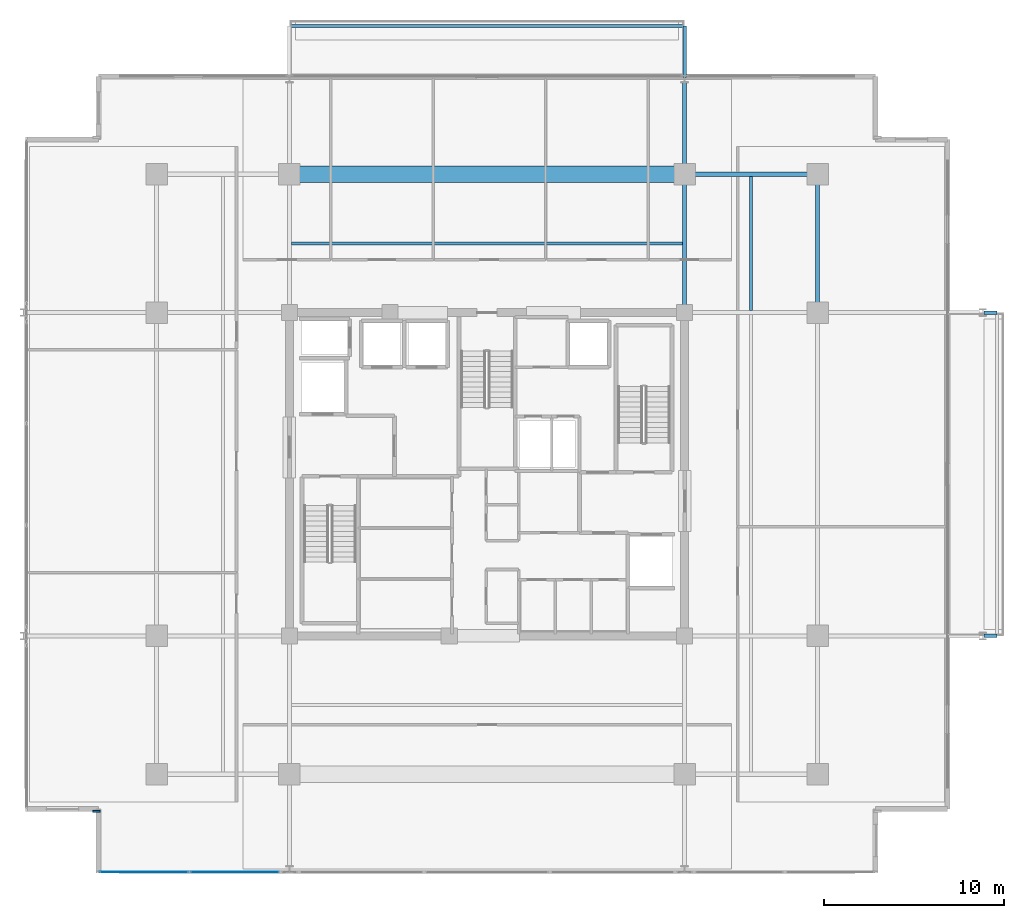
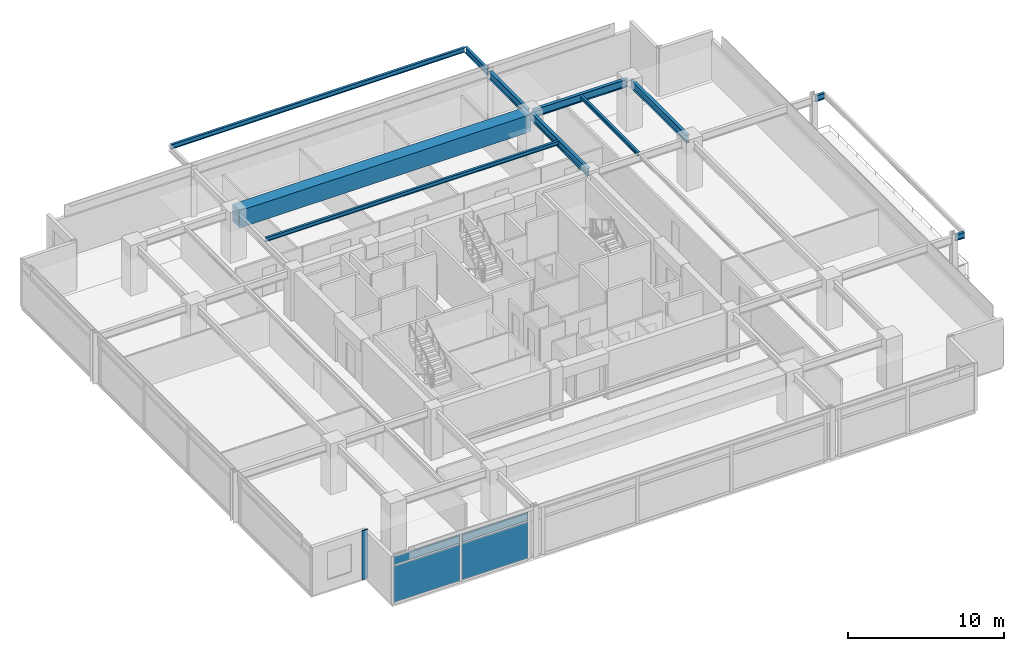
# One storey, part 11 of 21: 11 beams, 5 plates, 1 element without a shape of its own.
"""IFC4 building model written with IfcOpenShell, lengths in metres."""

from ifc_helpers import new_model, si_unit, direction, frame, origin, origin_2d, place, context, subcontext, project, spatial, rectangle, i_section, extrude, material, layer, layer_set, material_profile, profile_set, type_object, element, aggregate, save


model = new_model("IFC4")

# Units and contexts
model_context = context("Model", 3, precision=1e-05, world=origin(), true_north=direction((0.0, 1.0)))
body_context = subcontext(model_context, "Body", "Model", "MODEL_VIEW")
ifc_project = project(units=[si_unit("LENGTHUNIT", "METRE"), si_unit("AREAUNIT", "SQUARE_METRE"), si_unit("VOLUMEUNIT", "CUBIC_METRE"), si_unit("PLANEANGLEUNIT", "RADIAN"), si_unit("MASSUNIT", "GRAM", prefix="KILO")], contexts=[model_context])

# Site, building, storey
site_placement = place(None, origin())
site = spatial("IfcSite", under=ifc_project, at=site_placement, CompositionType="ELEMENT")
building_placement = place(site_placement, origin())
building = spatial("IfcBuilding", under=site, at=building_placement, Name="Kovane Verandah Tower", CompositionType="ELEMENT")
storey_placement = place(building_placement, frame((0.0, 0.0, 283.199951171875)))
storey = spatial("IfcBuildingStorey", under=building, at=storey_placement, Name="L66", CompositionType="ELEMENT", Elevation=283.199951171875)

# Beams
ifc_material_1 = material(Name="Concrete C80/95", Category="concrete")
ifc_material_profile_1 = material_profile(ifc_material_1, rectangle(XDim=0.89990234375, YDim=1.35009765625, at=origin_2d()), Name="RCB900x1350")
ifc_profile_set_1 = profile_set([ifc_material_profile_1], Name="Concrete C80/95")
beam_type_1 = type_object("IfcBeamType", Name="BM-TR-900x1350", PredefinedType="BEAM", material=ifc_profile_set_1)
beam_1_placement = place(storey_placement, frame((29.179931640625, 44.199951171875, 3.110107421875), z_axis=(1.0, 0.0, 0.0), x_axis=(0.0, 1.0, 0.0)))
element("IfcBeam", 1, at=beam_1_placement, inside=storey, type_object=beam_type_1, Name="L66 Primary Tower Girder G-RN2", PredefinedType="BEAM", context=body_context, shape_type="SweptSolid", body=[
    extrude(rectangle(XDim=0.89990234375, YDim=1.35009765625, at=origin_2d()), origin(), (0.0, 0.0, 1.0), 21.64013671875),
])
ifc_material_2 = material(Name="Steel S355", Category="steel")
ifc_material_profile_2 = material_profile(ifc_material_2, i_section(OverallWidth=0.230224609375, OverallDepth=0.6171875, WebThickness=0.01318359375, FlangeThickness=0.022216796875, FilletRadius=0.0126953125, at=origin_2d()), Name="UB610x229x140")
ifc_profile_set_2 = profile_set([ifc_material_profile_2], Name="Steel S355")
beam_type_2 = type_object("IfcBeamType", Name="BM-UB610x140", PredefinedType="BEAM", material=ifc_profile_set_2)
beam_2_placement = place(storey_placement, frame((51.179931640625, 44.199951171875, 3.4765625), z_axis=(1.0, 0.0, 0.0), x_axis=(0.0, 1.0, 0.0)))
element("IfcBeam", 2, at=beam_2_placement, inside=storey, type_object=beam_type_2, Name="L66 Primary Tower Girder G-RN3", PredefinedType="BEAM", context=body_context, shape_type="SweptSolid", body=[
    extrude(i_section(OverallWidth=0.230224609375, OverallDepth=0.6171875, WebThickness=0.01318359375, FlangeThickness=0.022216796875, FilletRadius=0.0126953125, at=origin_2d()), origin(), (0.0, 0.0, 1.0), 7.0400390625),
])
for number, where, z_axis, x_axis, name in (
    (3, (58.39990234375, 36.679931640625, 3.4765625), (0.0, 1.0, 0.0), (-1.0, 0.0, 0.0), "L66 Primary Tower Girder G-RE3"),
    (4, (51.0, 36.679931640625, 3.4765625), (0.0, 1.0, 0.0), (-1.0, 0.0, 0.0), "L66 Primary Tower Girder G-N2"),
):
    element("IfcBeam", number, at=place(storey_placement, frame(where, z_axis=z_axis, x_axis=x_axis)), inside=storey, type_object=beam_type_2, Name=name, PredefinedType="BEAM", context=body_context, shape_type="SweptSolid", body=[
        extrude(i_section(OverallWidth=0.230224609375, OverallDepth=0.6171875, WebThickness=0.01318359375, FlangeThickness=0.022216796875, FilletRadius=0.0126953125, at=origin_2d()), origin(), (0.0, 0.0, 1.0), 7.340087890625),
    ])
beam_3_placement = place(storey_placement, frame((51.0, 44.3798828125, 3.451416015625), z_axis=(0.0, 1.0, 0.0), x_axis=(-1.0, 0.0, 0.0)))
element("IfcBeam", 5, at=beam_3_placement, inside=storey, type_object=beam_type_2, Name="L66 Primary Tower Girder G-VN2", PredefinedType="BEAM", context=body_context, shape_type="SweptSolid", body=[
    extrude(i_section(OverallWidth=0.230224609375, OverallDepth=0.6171875, WebThickness=0.01318359375, FlangeThickness=0.022216796875, FilletRadius=0.0126953125, at=origin_2d()), origin(), (0.0, 0.0, 1.0), 4.940185546875),
])
ifc_material_profile_3 = material_profile(ifc_material_2, i_section(OverallWidth=0.1669921875, OverallDepth=0.310302734375, WebThickness=0.0078125, FlangeThickness=0.013671875, FilletRadius=0.0087890625, at=origin_2d()), Name="UB305x165x54")
ifc_profile_set_3 = profile_set([ifc_material_profile_3], Name="Steel S355")
beam_type_3 = type_object("IfcBeamType", Name="JST-UB305x54", PredefinedType="JOIST", material=ifc_profile_set_3)
beam_4_placement = place(storey_placement, frame((29.113037109375, 40.35009765625, 3.6298828125), z_axis=(1.0, 0.0, 0.0), x_axis=(0.0, 1.0, 0.0)))
element("IfcBeam", 6, at=beam_4_placement, inside=storey, type_object=beam_type_3, Name="L66 Secondary Composite Joist J-N1", PredefinedType="JOIST", context=body_context, shape_type="SweptSolid", body=[
    extrude(i_section(OverallWidth=0.1669921875, OverallDepth=0.310302734375, WebThickness=0.0078125, FlangeThickness=0.013671875, FilletRadius=0.0087890625, at=origin_2d()), origin(), (0.0, 0.0, 1.0), 21.77392578125),
])
beam_5_placement = place(storey_placement, frame((54.699951171875, 36.613037109375, 3.6298828125), z_axis=(0.0, 1.0, 0.0), x_axis=(-1.0, 0.0, 0.0)))
element("IfcBeam", 7, at=beam_5_placement, inside=storey, type_object=beam_type_3, Name="L66 Secondary Composite Joist J-NE1", PredefinedType="JOIST", context=body_context, shape_type="SweptSolid", body=[
    extrude(i_section(OverallWidth=0.1669921875, OverallDepth=0.310302734375, WebThickness=0.0078125, FlangeThickness=0.013671875, FilletRadius=0.0087890625, at=origin_2d()), origin(), (0.0, 0.0, 1.0), 7.473876953125),
])
ifc_material_profile_4 = material_profile(ifc_material_2, i_section(OverallWidth=0.19287109375, OverallDepth=0.46728515625, WebThickness=0.011474609375, FlangeThickness=0.01953125, FilletRadius=0.01025390625, at=origin_2d()), Name="UB457x191x98")
ifc_profile_set_4 = profile_set([ifc_material_profile_4], Name="Steel S355")
beam_type_4 = type_object("IfcBeamType", Name="JST-UB457x98", PredefinedType="JOIST", material=ifc_profile_set_4)
beam_6_placement = place(storey_placement, frame((51.0, 49.580078125, 3.5263671875), z_axis=(0.0, 1.0, 0.0), x_axis=(-1.0, 0.0, 0.0)))
element("IfcBeam", 8, at=beam_6_placement, inside=storey, type_object=beam_type_4, Name="L66 North Planter Girder 2", PredefinedType="JOIST", context=body_context, shape_type="SweptSolid", body=[
    extrude(i_section(OverallWidth=0.19287109375, OverallDepth=0.46728515625, WebThickness=0.011474609375, FlangeThickness=0.01953125, FilletRadius=0.01025390625, at=origin_2d()), origin(), (0.0, 0.0, 1.0), 2.88427734375),
])
for number, where, z_axis, x_axis, name in (
    (9, (67.679931640625, 18.5, 3.5263671875), (1.0, 0.0, 0.0), (0.0, 1.0, 0.0), "L66 East Planter Girder 1"),
    (10, (67.679931640625, 36.5, 3.5263671875), (1.0, 0.0, 0.0), (0.0, 1.0, 0.0), "L66 East Planter Girder 2"),
):
    element("IfcBeam", number, at=place(storey_placement, frame(where, z_axis=z_axis, x_axis=x_axis)), inside=storey, type_object=beam_type_4, Name=name, PredefinedType="JOIST", context=body_context, shape_type="SweptSolid", body=[
        extrude(i_section(OverallWidth=0.19287109375, OverallDepth=0.46728515625, WebThickness=0.011474609375, FlangeThickness=0.01953125, FilletRadius=0.01025390625, at=origin_2d()), origin(), (0.0, 0.0, 1.0), 0.70751953125),
    ])
ifc_material_profile_5 = material_profile(ifc_material_2, i_section(OverallWidth=0.173095703125, OverallDepth=0.36328125, WebThickness=0.009033203125, FlangeThickness=0.015625, FilletRadius=0.01025390625, at=origin_2d()), Name="UB356x171x67")
ifc_profile_set_5 = profile_set([ifc_material_profile_5], Name="Steel S355")
beam_type_5 = type_object("IfcBeamType", Name="SPD-UB356x67", PredefinedType="USERDEFINED", material=ifc_profile_set_5)
beam_7_placement = place(storey_placement, frame((29.094482421875, 52.46435546875, 3.578369140625), z_axis=(1.0, 0.0, 0.0), x_axis=(0.0, 1.0, 0.0)))
element("IfcBeam", 11, at=beam_7_placement, inside=storey, type_object=beam_type_5, Name="L66 North Planter Edge Spandrel", ObjectType="SPANDREL", PredefinedType="USERDEFINED", context=body_context, shape_type="SweptSolid", body=[
    extrude(i_section(OverallWidth=0.173095703125, OverallDepth=0.36328125, WebThickness=0.009033203125, FlangeThickness=0.015625, FilletRadius=0.01025390625, at=origin_2d()), origin(), (0.0, 0.0, 1.0), 21.81103515625),
])

# Curtain wall, plates
ifc_material_3 = material(Name="Champagne Anodised Aluminium Frame with Low-E Clear Laminated Glass", Category="aluminium")
curtain_wall_type = type_object("IfcCurtainWallType", Name="CW-SYS-05-HIGH", PredefinedType="NOTDEFINED", material=ifc_material_3)
curtain_wall_placement = place(storey_placement, origin())
curtain_wall = element("IfcCurtainWall", 12, at=curtain_wall_placement, inside=storey, type_object=curtain_wall_type, Name="L66 S Unitised Curtain Wall-1", PredefinedType="NOTDEFINED")
ifc_material_4 = material(Name="Pale Champagne Anodised Aluminium Insulated Spandrel", Category="aluminium")
ifc_layer_1 = layer(ifc_material_4, 0.0400390625)
ifc_layer_set_1 = layer_set([ifc_layer_1], Name="Pale Champagne Anodised Aluminium Insulated Spandrel")
plate_type_1 = type_object("IfcPlateType", Name="PL-CW-SPD-40", PredefinedType="SHEET", material=ifc_layer_set_1)
plate_1_placement = place(storey_placement, frame((20.896484375, 5.359619140625, 3.05517578125), z_axis=(0.0, 0.0, 1.0), x_axis=(1.0, 0.0, 0.0)))
plate_1 = element("IfcPlate", 13, at=plate_1_placement, type_object=plate_type_1, Name="L66 S Unitised Curtain Wall-1 Spandrel Panel 1", PredefinedType="SHEET", context=body_context, shape_type="SweptSolid", body=[
    extrude(rectangle(XDim=4.91552734375, YDim=0.0400390625, at=origin_2d()), origin(), (0.0, 0.0, 1.0), 0.639892578125),
])
plate_2_placement = place(storey_placement, frame((25.9521484375, 5.359619140625, 3.05517578125), z_axis=(0.0, 0.0, 1.0), x_axis=(1.0, 0.0, 0.0)))
plate_2 = element("IfcPlate", 14, at=plate_2_placement, type_object=plate_type_1, Name="L66 S Unitised Curtain Wall-1 Spandrel Panel 2", PredefinedType="SHEET", context=body_context, shape_type="SweptSolid", body=[
    extrude(rectangle(XDim=4.91552734375, YDim=0.0400390625, at=origin_2d()), origin(), (0.0, 0.0, 1.0), 0.639892578125),
])
ifc_material_5 = material(Name="Clear Low-E Laminated Double Glazing", Category="glass")
ifc_layer_2 = layer(ifc_material_5, 0.031982421875)
ifc_layer_set_2 = layer_set([ifc_layer_2], Name="Clear Low-E Laminated Double Glazing")
plate_type_2 = type_object("IfcPlateType", Name="PL-CW-VIS-32", PredefinedType="CURTAIN_PANEL", material=ifc_layer_set_2)
plate_3_placement = place(storey_placement, frame((20.896484375, 5.359619140625, 0.10009765625), z_axis=(0.0, 0.0, 1.0), x_axis=(1.0, 0.0, 0.0)))
plate_3 = element("IfcPlate", 15, at=plate_3_placement, type_object=plate_type_2, Name="L66 S Unitised Curtain Wall-1 Vision Panel 1", PredefinedType="CURTAIN_PANEL", context=body_context, shape_type="SweptSolid", body=[
    extrude(rectangle(XDim=4.91552734375, YDim=0.031982421875, at=origin_2d()), origin(), (0.0, 0.0, 1.0), 2.85498046875),
])
plate_4_placement = place(storey_placement, frame((25.9521484375, 5.359619140625, 0.10009765625), z_axis=(0.0, 0.0, 1.0), x_axis=(1.0, 0.0, 0.0)))
plate_4 = element("IfcPlate", 16, at=plate_4_placement, type_object=plate_type_2, Name="L66 S Unitised Curtain Wall-1 Vision Panel 2", PredefinedType="CURTAIN_PANEL", context=body_context, shape_type="SweptSolid", body=[
    extrude(rectangle(XDim=4.91552734375, YDim=0.031982421875, at=origin_2d()), origin(), (0.0, 0.0, 1.0), 2.85498046875),
])
aggregate(curtain_wall, [plate_3, plate_1, plate_4, plate_2])

# Plate
ifc_material_6 = material(Name="Timber-Toned Subtropical Aluminium Vertical Blade", Category="wood")
ifc_layer_3 = layer(ifc_material_6, 0.090087890625)
ifc_layer_set_3 = layer_set([ifc_layer_3], Name="Timber-Toned Subtropical Aluminium Vertical Blade")
plate_type_3 = type_object("IfcPlateType", Name="PL-FIN-90", PredefinedType="USERDEFINED", material=ifc_layer_set_3)
plate_5_placement = place(storey_placement, frame((18.248779296875, 8.739501953125, -0.02001953125), z_axis=(0.0, 0.0, 1.0), x_axis=(1.0, 0.0, 0.0)))
element("IfcPlate", 17, at=plate_5_placement, inside=storey, type_object=plate_type_3, Name="L66 SW Timber-Toned Vertical Corner Fin", ObjectType="FIN", PredefinedType="USERDEFINED", context=body_context, shape_type="SweptSolid", body=[
    extrude(rectangle(XDim=0.419921875, YDim=0.090087890625, at=origin_2d()), origin(), (0.0, 0.0, 1.0), 3.844970703125),
])

save(model, "model.ifc")
